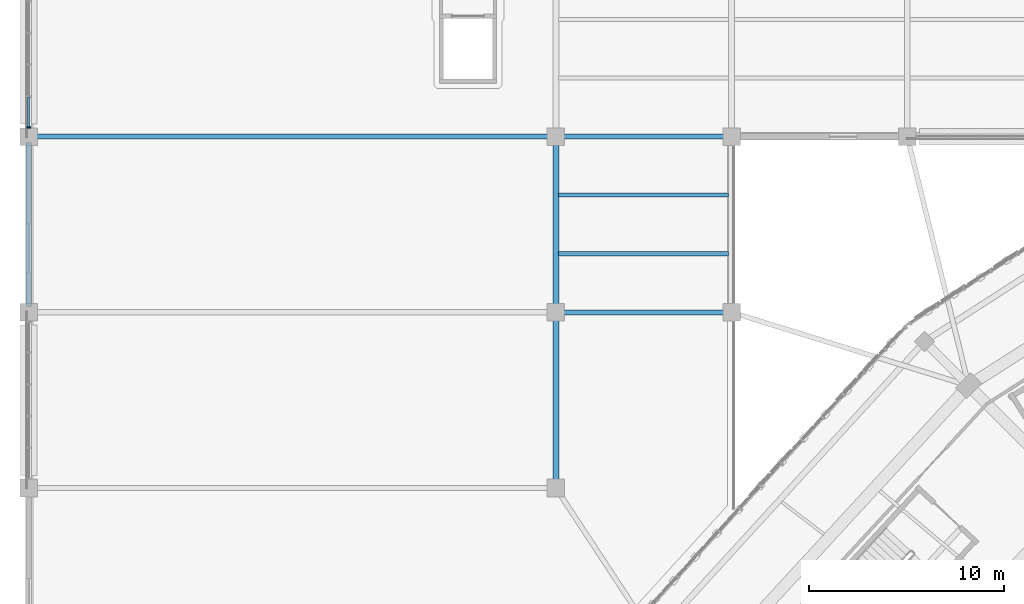
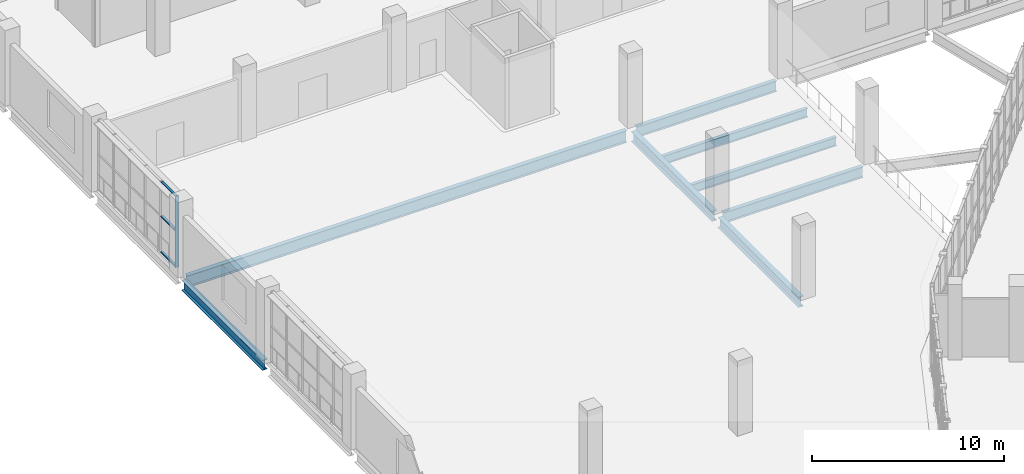
# One storey, part 45 of 183: 8 beams, 4 members, 1 element without a shape of its own.
"""IFC4 building model written with IfcOpenShell, lengths in metres."""

import ifcopenshell
import ifcopenshell.guid

model = None  # the IFC model being written
_history = None  # IfcOwnerHistory: only IFC2X3 demands one
_inside = {}  # id of a spatial element -> (the spatial element, [elements in it])
_under = {}  # id of a project, library or spatial element -> (it, [spatial elements below it])
_declared = {}  # id of a project -> (the project, [libraries it declares])
_typed = {}  # id of a type object -> (the type object, [elements of that type])
_made_of = {}  # id of a material, layer set ... -> (it, [elements and type objects made of it])


def new_model(schema):
    """Start an empty IFC model of exactly this schema.

    Asked for "IFC4X3", IfcOpenShell would pick the latest addendum, in which some entities
    have other attributes; the version numbers below select the first issue.
    IFC2X3 requires an IfcOwnerHistory on every rooted entity: one is made here for all.
    """
    global model, _history
    if schema == "IFC4X3":
        model = ifcopenshell.file(schema_version=(4, 3, 0, 0))
    else:
        model = ifcopenshell.file(schema=schema)
    _inside.clear()
    _under.clear()
    _declared.clear()
    _typed.clear()
    _made_of.clear()
    _history = None
    if model.schema == "IFC2X3":
        org = make("IfcOrganization", Name="unknown")
        user = make(
            "IfcPersonAndOrganization",
            ThePerson=make("IfcPerson", FamilyName="unknown"),
            TheOrganization=org,
        )
        app = make(
            "IfcApplication",
            ApplicationDeveloper=org,
            Version="unknown",
            ApplicationFullName="unknown",
            ApplicationIdentifier="unknown",
        )
        _history = make(
            "IfcOwnerHistory",
            OwningUser=user,
            OwningApplication=app,
            ChangeAction="ADDED",
            CreationDate=0,
        )
    return model


def make(cls, **values):
    """One entity of the class cls with the attributes given. An attribute that is None is left unset."""
    return model.create_entity(
        cls, **{name: value for name, value in values.items() if value is not None}
    )


def rooted(cls, **values):
    """An entity with a GlobalId (a new one), such as an element, a storey or a relation."""
    return make(cls, GlobalId=ifcopenshell.guid.new(), OwnerHistory=_history, **values)


def si_unit(unit_type, name, prefix=None):
    """IfcSIUnit, for example si_unit("LENGTHUNIT", "METRE", prefix="MILLI")."""
    return make("IfcSIUnit", UnitType=unit_type, Prefix=prefix, Name=name)


def assignment(units):
    """IfcUnitAssignment: the units of a project."""
    return None if units is None else make("IfcUnitAssignment", Units=units)


def point(xyz):
    """IfcCartesianPoint."""
    return None if xyz is None else make("IfcCartesianPoint", Coordinates=xyz)


def direction(xyz):
    """IfcDirection."""
    return None if xyz is None else make("IfcDirection", DirectionRatios=xyz)


def frame(location, z_axis=None, x_axis=None):
    """IfcAxis2Placement3D, a coordinate frame: its origin and axes. An axis left out is left unset."""
    return make(
        "IfcAxis2Placement3D",
        Location=point(location),
        Axis=direction(z_axis),
        RefDirection=direction(x_axis),
    )


def frame_2d(location, x_axis=None):
    """IfcAxis2Placement2D, a coordinate frame in the plane: its origin and x axis."""
    return make(
        "IfcAxis2Placement2D", Location=point(location), RefDirection=direction(x_axis)
    )


def origin():
    """The frame at (0, 0, 0) with its axes left unset."""
    return frame((0.0, 0.0, 0.0))


def origin_2d():
    """The frame at (0, 0) in the plane with its x axis left unset."""
    return frame_2d((0.0, 0.0))


def place(relative_to, where):
    """IfcLocalPlacement: puts the frame where relative to a parent placement (None: the world)."""
    return make(
        "IfcLocalPlacement", PlacementRelTo=relative_to, RelativePlacement=where
    )


def context(
    kind, dimensions, precision=None, world=None, true_north=None, identifier=None
):
    """IfcGeometricRepresentationContext, for example the 3D "Model" context."""
    return make(
        "IfcGeometricRepresentationContext",
        ContextIdentifier=identifier,
        ContextType=kind,
        CoordinateSpaceDimension=dimensions,
        Precision=precision,
        WorldCoordinateSystem=world,
        TrueNorth=true_north,
    )


def subcontext(parent, identifier, kind, view, scale=None):
    """IfcGeometricRepresentationSubContext, for example "Body" below "Model"."""
    return make(
        "IfcGeometricRepresentationSubContext",
        ContextIdentifier=identifier,
        ContextType=kind,
        ParentContext=parent,
        TargetScale=scale,
        TargetView=view,
    )


def project(units=None, contexts=None):
    """IfcProject with its units and contexts."""
    return rooted(
        "IfcProject",
        Name="project",
        RepresentationContexts=contexts,
        UnitsInContext=assignment(units),
    )


def spatial(cls, under=None, at=None, **own):
    """A site, building, storey or space (cls), placed at a placement, below another one or the project."""
    s = rooted(cls, ObjectPlacement=at, **own)
    if under is not None:
        _under.setdefault(under.id(), (under, []))[1].append(s)
    return s


def profile(cls, at=None, kind="AREA", **sizes):
    """A parametric profile (cls). Its sizes go by their IFC names, for example OverallWidth=200.0."""
    return make(cls, ProfileType=kind, Position=at, **sizes)


def rectangle(**sizes):
    """IfcRectangleProfileDef."""
    return profile("IfcRectangleProfileDef", **sizes)


def i_section(**sizes):
    """IfcIShapeProfileDef."""
    return profile("IfcIShapeProfileDef", **sizes)


def extrude(swept, where, along, depth):
    """IfcExtrudedAreaSolid: the profile swept, set in the frame where, extruded along a direction by depth."""
    return make(
        "IfcExtrudedAreaSolid",
        SweptArea=swept,
        Position=where,
        ExtrudedDirection=direction(along),
        Depth=depth,
    )


def shape(context_of_items, identifier, shape_type, items):
    """IfcShapeRepresentation: the items that make up one representation, for example the "Body"."""
    return make(
        "IfcShapeRepresentation",
        ContextOfItems=context_of_items,
        RepresentationIdentifier=identifier,
        RepresentationType=shape_type,
        Items=items,
    )


def material(Name=None, Category=None):
    """IfcMaterial."""
    return make("IfcMaterial", Name=Name, Category=Category)


def material_profile(
    of_material, cross_section, Name=None, Category=None, Priority=None
):
    """IfcMaterialProfile: a cross section and its material."""
    return make(
        "IfcMaterialProfile",
        Name=Name,
        Material=of_material,
        Profile=cross_section,
        Priority=Priority,
        Category=Category,
    )


def profile_set(profiles, Name=None, composite=None):
    """IfcMaterialProfileSet."""
    return make(
        "IfcMaterialProfileSet",
        Name=Name,
        MaterialProfiles=profiles,
        CompositeProfile=composite,
    )


def made_of(thing, what):
    """Note that an element or type object is made of a material, layer set ...; save() writes the relation."""
    if what is not None:
        _made_of.setdefault(what.id(), (what, []))[1].append(thing)
    return thing


def type_object(cls, material=None, **own):
    """A type object (cls), such as IfcWallType, which elements share."""
    return made_of(rooted(cls, **own), material)


def element(
    cls,
    number,
    at=None,
    inside=None,
    cuts=None,
    type_object=None,
    material=None,
    context=None,
    identifier="Body",
    shape_type=None,
    held_by="IfcProductDefinitionShape",
    body=None,
    shapes=None,
    **own,
):
    """One element of the class cls, such as IfcWall. Its Tag is "e" and its number.

    at: its placement. inside: the storey or other place that contains it. cuts: it is an
    opening in that element (IfcRelVoidsElement). A single representation is given by context,
    identifier, shape_type and body (its items); several are given by shapes. held_by: the class
    of the entity that holds the representations. save() writes the other relations.
    """
    e = rooted(cls, Tag="e%d" % number, ObjectPlacement=at, **own)
    if body is not None:
        shapes = [shape(context, identifier, shape_type, body)]
    if shapes is not None:
        e.Representation = make(held_by, Representations=shapes)
    if inside is not None:
        _inside.setdefault(inside.id(), (inside, []))[1].append(e)
    if cuts is not None:
        rooted(
            "IfcRelVoidsElement", RelatingBuildingElement=cuts, RelatedOpeningElement=e
        )
    if type_object is not None:
        _typed.setdefault(type_object.id(), (type_object, []))[1].append(e)
    return made_of(e, material)


def aggregate(whole, parts):
    """IfcRelAggregates: a whole, such as a stair, and the parts it consists of."""
    return rooted("IfcRelAggregates", RelatingObject=whole, RelatedObjects=parts)


def save(model, path):
    """Write the relations noted so far, then the file.

    IfcRelAggregates (storeys below a building ...), IfcRelContainedInSpatialStructure (elements
    in a storey), IfcRelDefinesByType, IfcRelAssociatesMaterial and IfcRelDeclares: one each for
    every whole, place, type object, material and project.
    """
    for whole, parts in _under.values():
        aggregate(whole, parts)
    for where, things in _inside.values():
        rooted(
            "IfcRelContainedInSpatialStructure",
            RelatedElements=things,
            RelatingStructure=where,
        )
    for kind, things in _typed.values():
        rooted("IfcRelDefinesByType", RelatedObjects=things, RelatingType=kind)
    for what, things in _made_of.values():
        rooted("IfcRelAssociatesMaterial", RelatedObjects=things, RelatingMaterial=what)
    for by, libraries in _declared.values():
        rooted("IfcRelDeclares", RelatingContext=by, RelatedDefinitions=libraries)
    model.write(path)


model = new_model("IFC4")

# Units and contexts
model_context = context("Model", 3, precision=1e-05, world=origin(), true_north=direction((0.0, 1.0)))
body_context = subcontext(model_context, "Body", "Model", "MODEL_VIEW")
ifc_project = project(units=[si_unit("LENGTHUNIT", "METRE"), si_unit("AREAUNIT", "SQUARE_METRE"), si_unit("VOLUMEUNIT", "CUBIC_METRE"), si_unit("PLANEANGLEUNIT", "RADIAN"), si_unit("MASSUNIT", "GRAM", prefix="KILO")], contexts=[model_context])

# Site, building, storey
site_placement = place(None, origin())
site = spatial("IfcSite", under=ifc_project, at=site_placement, CompositionType="ELEMENT")
building_placement = place(site_placement, origin())
building = spatial("IfcBuilding", under=site, at=building_placement, Name="Zevraka Park Crest Stadium", CompositionType="ELEMENT")
storey_placement = place(building_placement, frame((0.0, 0.0, 5.39990234375)))
storey = spatial("IfcBuildingStorey", under=building, at=storey_placement, Name="L01", CompositionType="ELEMENT", Elevation=5.39990234375)

# Beams
ifc_material_1 = material(Name="Steel S355", Category="steel")
ifc_material_profile_1 = material_profile(ifc_material_1, i_section(OverallWidth=0.253662109375, OverallDepth=0.68359375, WebThickness=0.012451171875, FlangeThickness=0.01904296875, at=origin_2d()), Name="UKB 686x254x140")
ifc_profile_set_1 = profile_set([ifc_material_profile_1], Name="Steel S355")
beam_type_1 = type_object("IfcBeamType", Name="BG05", PredefinedType="BEAM", material=ifc_profile_set_1)
for number, where, z_axis, x_axis, name in (
    (1, (27.300048828125, 149.0, -0.649658203125), (1.0, 0.0, 0.0), (0.0, 1.0, 0.0), "Wing Girder BG05 L01-45/S"),
    (2, (27.300048828125, 158.0, -0.649658203125), (1.0, 0.0, 0.0), (0.0, 1.0, 0.0), "Wing Girder BG05 L01-45/T"),
):
    element("IfcBeam", number, at=place(storey_placement, frame(where, z_axis=z_axis, x_axis=x_axis)), inside=storey, type_object=beam_type_1, Name=name, PredefinedType="BEAM", context=body_context, shape_type="SweptSolid", body=[
        extrude(i_section(OverallWidth=0.253662109375, OverallDepth=0.68359375, WebThickness=0.012451171875, FlangeThickness=0.01904296875, at=origin_2d()), origin(), (0.0, 0.0, 1.0), 8.39990234375),
    ])
ifc_material_2 = material(Name="Steel S355", Category="steel")
ifc_material_profile_2 = material_profile(ifc_material_2, i_section(OverallWidth=0.300048828125, OverallDepth=0.64990234375, WebThickness=0.01611328125, FlangeThickness=0.031005859375, at=origin_2d()), Name="HEB 650")
ifc_profile_set_2 = profile_set([ifc_material_profile_2], Name="Steel S355")
beam_type_2 = type_object("IfcBeamType", Name="BG07", PredefinedType="BEAM", material=ifc_profile_set_2)
for number, where, z_axis, x_axis, name in (
    (3, (0.0, 149.300048828125, -0.6328125), (0.0, 1.0, 0.0), (-1.0, 0.0, 0.0), "Wing Girder BG07 L01-1/ST"),
    (4, (27.0, 140.300048828125, -0.6328125), (0.0, 1.0, 0.0), (-1.0, 0.0, 0.0), "Wing Girder BG07 L01-4/RS"),
    (5, (27.0, 149.300048828125, -0.6328125), (0.0, 1.0, 0.0), (-1.0, 0.0, 0.0), "Wing Girder BG07 L01-4/ST"),
):
    element("IfcBeam", number, at=place(storey_placement, frame(where, z_axis=z_axis, x_axis=x_axis)), inside=storey, type_object=beam_type_2, Name=name, PredefinedType="BEAM", context=body_context, shape_type="SweptSolid", body=[
        extrude(i_section(OverallWidth=0.300048828125, OverallDepth=0.64990234375, WebThickness=0.01611328125, FlangeThickness=0.031005859375, at=origin_2d()), origin(), (0.0, 0.0, 1.0), 8.39990234375),
    ])
ifc_material_3 = material(Name="Steel S355", Category="steel")
ifc_material_profile_3 = material_profile(ifc_material_3, i_section(OverallWidth=0.26708984375, OverallDepth=0.761962890625, WebThickness=0.014404296875, FlangeThickness=0.021484375, at=origin_2d()), Name="UKB 762x267x173")
ifc_profile_set_3 = profile_set([ifc_material_profile_3], Name="Steel S355")
beam_type_3 = type_object("IfcBeamType", Name="BG08", PredefinedType="BEAM", material=ifc_profile_set_3)
beam_placement = place(storey_placement, frame((0.300048828125, 158.0, -0.68896484375), z_axis=(1.0, 0.0, 0.0), x_axis=(0.0, 1.0, 0.0)))
element("IfcBeam", 6, at=beam_placement, inside=storey, type_object=beam_type_3, Name="Wing Girder BG08 L01-14/T", PredefinedType="BEAM", context=body_context, shape_type="SweptSolid", body=[
    extrude(i_section(OverallWidth=0.26708984375, OverallDepth=0.761962890625, WebThickness=0.014404296875, FlangeThickness=0.021484375, at=origin_2d()), origin(), (0.0, 0.0, 1.0), 26.39990234375),
])

# Curtain wall, members
ifc_material_4 = material(Name="Anodised architectural aluminium and laminated safety glass", Category="aluminium")
curtain_wall_type = type_object("IfcCurtainWallType", Name="CW27", PredefinedType="NOTDEFINED", material=ifc_material_4)
curtain_wall_placement = place(storey_placement, origin())
curtain_wall = element("IfcCurtainWall", 7, at=curtain_wall_placement, inside=storey, type_object=curtain_wall_type, Name="Wing Curtain Wall CW27 L01-NW-W-6", PredefinedType="NOTDEFINED")
ifc_material_5 = material(Name="Anodised architectural aluminium", Category="aluminium")
ifc_material_profile_4 = material_profile(ifc_material_5, rectangle(XDim=0.199951171875, YDim=0.070068359375, at=origin_2d()), Name="ALU MULLION 200x70")
ifc_profile_set_4 = profile_set([ifc_material_profile_4], Name="Anodised architectural aluminium")
member_type_1 = type_object("IfcMemberType", Name="CM03", PredefinedType="MULLION", material=ifc_profile_set_4)
member_1_placement = place(storey_placement, frame((0.0, 158.47509765625, 0.0), z_axis=(0.0, 0.0, 1.0), x_axis=(-1.0, 0.0, 0.0)))
member_1 = element("IfcMember", 8, at=member_1_placement, type_object=member_type_1, Name="CW27 mullion 1", PredefinedType="MULLION", context=body_context, shape_type="SweptSolid", body=[
    extrude(rectangle(XDim=0.199951171875, YDim=0.070068359375, at=origin_2d()), origin(), (0.0, 0.0, 1.0), 4.52001953125),
])
ifc_material_6 = material(Name="Anodised architectural aluminium", Category="aluminium")
ifc_material_profile_5 = material_profile(ifc_material_6, rectangle(XDim=0.14990234375, YDim=0.070068359375, at=origin_2d()), Name="ALU TRANSOM 150x70")
ifc_profile_set_5 = profile_set([ifc_material_profile_5], Name="Anodised architectural aluminium")
member_type_2 = type_object("IfcMemberType", Name="CT03", PredefinedType="USERDEFINED", material=ifc_profile_set_5)
member_2_placement = place(storey_placement, frame((0.0, 158.510009765625, 0.03515625), z_axis=(0.0, 1.0, 0.0), x_axis=(-1.0, 0.0, 0.0)))
member_2 = element("IfcMember", 9, at=member_2_placement, type_object=member_type_2, Name="CW27 transom 1.1", ObjectType="TRANSOM", PredefinedType="USERDEFINED", context=body_context, shape_type="SweptSolid", body=[
    extrude(rectangle(XDim=0.14990234375, YDim=0.070068359375, at=origin_2d()), origin(), (0.0, 0.0, 1.0), 1.51904296875),
])
member_3_placement = place(storey_placement, frame((0.0, 158.510009765625, 2.300048828125), z_axis=(0.0, 1.0, 0.0), x_axis=(-1.0, 0.0, 0.0)))
member_3 = element("IfcMember", 10, at=member_3_placement, type_object=member_type_2, Name="CW27 transom 1.2", ObjectType="TRANSOM", PredefinedType="USERDEFINED", context=body_context, shape_type="SweptSolid", body=[
    extrude(rectangle(XDim=0.14990234375, YDim=0.070068359375, at=origin_2d()), origin(), (0.0, 0.0, 1.0), 1.51904296875),
])
member_4_placement = place(storey_placement, frame((0.0, 158.510009765625, 4.485107421875), z_axis=(0.0, 1.0, 0.0), x_axis=(-1.0, 0.0, 0.0)))
member_4 = element("IfcMember", 11, at=member_4_placement, type_object=member_type_2, Name="CW27 transom 1.3", ObjectType="TRANSOM", PredefinedType="USERDEFINED", context=body_context, shape_type="SweptSolid", body=[
    extrude(rectangle(XDim=0.14990234375, YDim=0.070068359375, at=origin_2d()), origin(), (0.0, 0.0, 1.0), 1.51904296875),
])
aggregate(curtain_wall, [member_1, member_2, member_3, member_4])

# Beams
ifc_material_7 = material(Name="Steel S355", Category="steel")
ifc_material_profile_6 = material_profile(ifc_material_7, i_section(OverallWidth=0.2099609375, OverallDepth=0.550048828125, WebThickness=0.010986328125, FlangeThickness=0.01708984375, at=origin_2d()), Name="IPE 550")
ifc_profile_set_6 = profile_set([ifc_material_profile_6], Name="Steel S355")
beam_type_4 = type_object("IfcBeamType", Name="SJ04", PredefinedType="JOIST", material=ifc_profile_set_6)
for number, where, z_axis, x_axis, name in (
    (12, (27.14501953125, 152.0, -0.5849609375), (1.0, 0.0, 0.0), (0.0, 1.0, 0.0), "Wing Joist SJ04 L01-4/S-1"),
    (13, (27.14501953125, 155.0, -0.5849609375), (1.0, 0.0, 0.0), (0.0, 1.0, 0.0), "Wing Joist SJ04 L01-4/S-2"),
):
    element("IfcBeam", number, at=place(storey_placement, frame(where, z_axis=z_axis, x_axis=x_axis)), inside=storey, type_object=beam_type_4, Name=name, PredefinedType="JOIST", context=body_context, shape_type="SweptSolid", body=[
        extrude(i_section(OverallWidth=0.2099609375, OverallDepth=0.550048828125, WebThickness=0.010986328125, FlangeThickness=0.01708984375, at=origin_2d()), origin(), (0.0, 0.0, 1.0), 8.7099609375),
    ])

save(model, "model.ifc")
